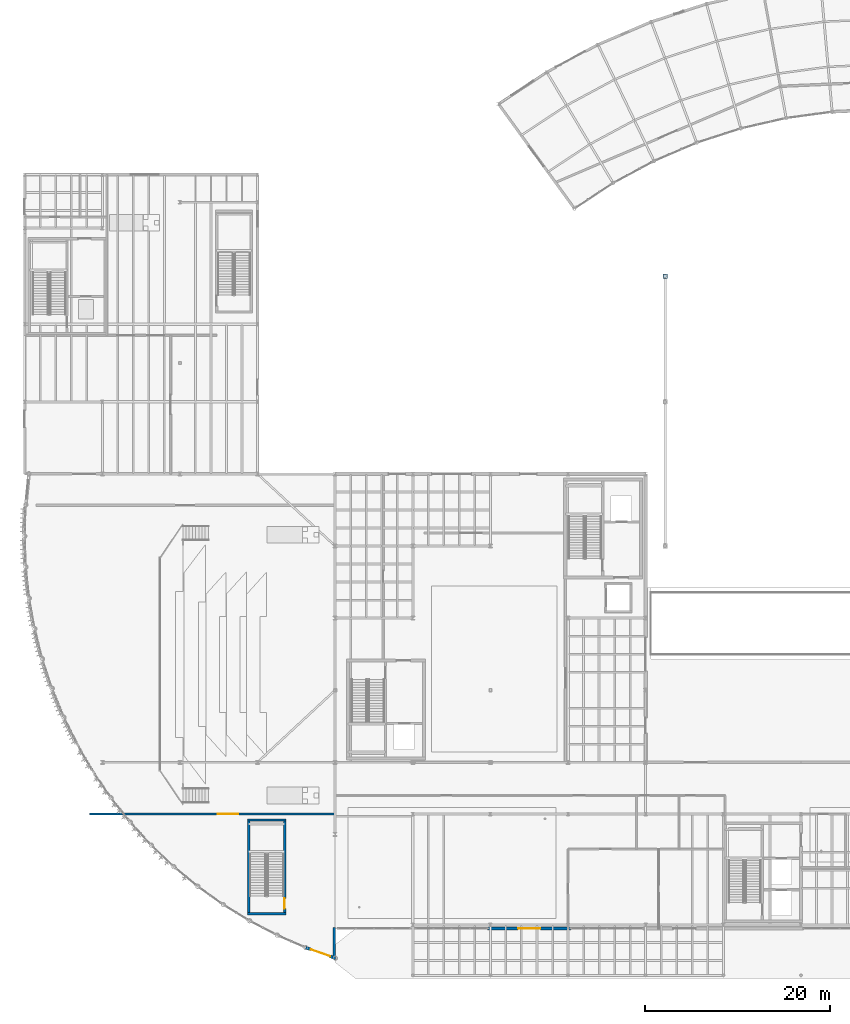
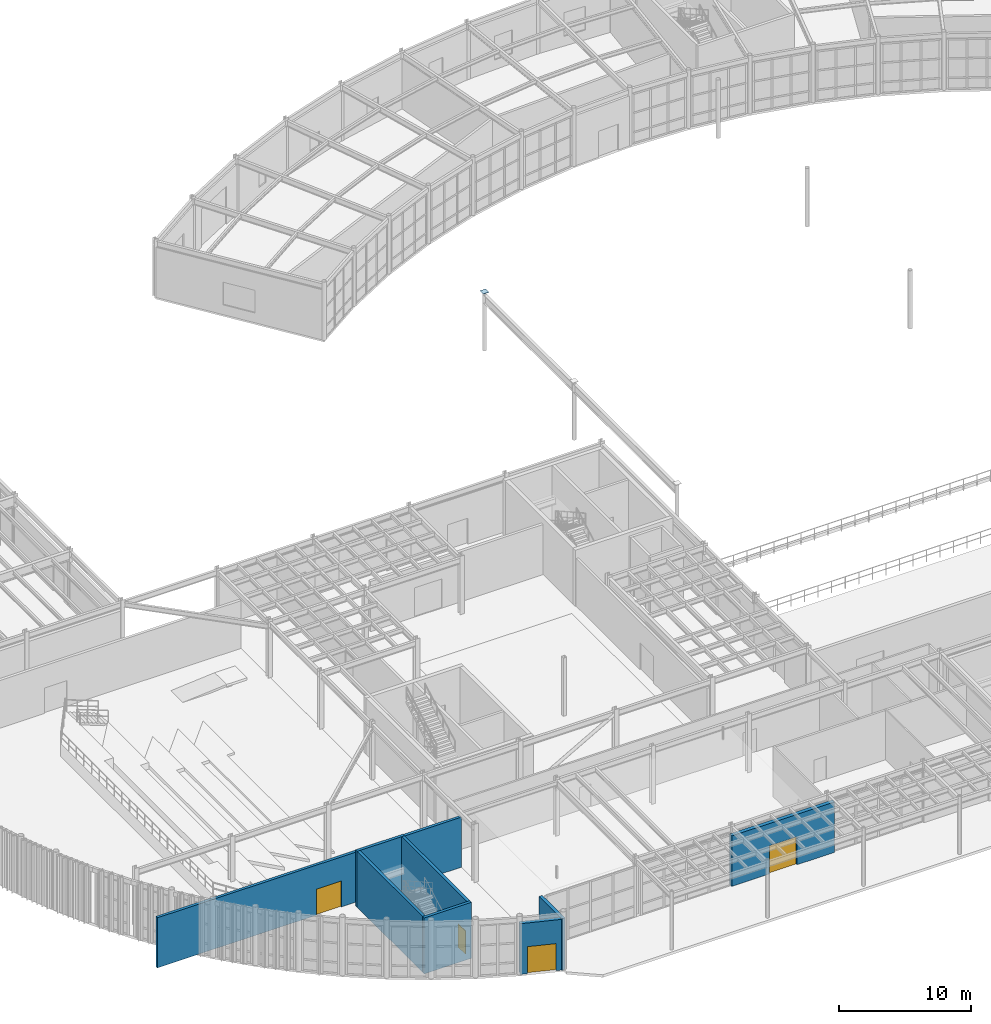
# One storey, part 62 of 87: 8 walls, 4 doors, 1 plate, 4 openings.
"""IFC4 building model written with IfcOpenShell, lengths in metres."""

from ifc_helpers import new_model, si_unit, direction, frame, frame_2d, origin, origin_2d, place, context, subcontext, project, spatial, rectangle, extrude, material, layer, layer_set, type_object, element, fill, save


model = new_model("IFC4")

# Units and contexts
model_context = context("Model", 3, precision=1e-05, world=origin(), true_north=direction((0.0, 1.0)))
body_context = subcontext(model_context, "Body", "Model", "MODEL_VIEW")
ifc_project = project(units=[si_unit("LENGTHUNIT", "METRE"), si_unit("AREAUNIT", "SQUARE_METRE"), si_unit("VOLUMEUNIT", "CUBIC_METRE"), si_unit("PLANEANGLEUNIT", "RADIAN"), si_unit("MASSUNIT", "GRAM", prefix="KILO")], contexts=[model_context])

# Site, building, storey
site_placement = place(None, origin())
site = spatial("IfcSite", under=ifc_project, at=site_placement, CompositionType="ELEMENT")
building_placement = place(site_placement, origin())
building = spatial("IfcBuilding", under=site, at=building_placement, Name="Selat Folded Stagehouse", CompositionType="ELEMENT")
storey_placement = place(building_placement, origin())
storey = spatial("IfcBuildingStorey", under=building, at=storey_placement, Name="L00", CompositionType="ELEMENT", Elevation=0.0)

# Plate
ifc_material_1 = material(Name="Steel S355", Category="steel")
ifc_layer_1 = layer(ifc_material_1, 0.02490234375)
ifc_layer_set_1 = layer_set([ifc_layer_1], Name="Steel S355")
plate_type = type_object("IfcPlateType", Name="PLT-BASE-500x500x25", PredefinedType="USERDEFINED", material=ifc_layer_set_1)
plate_placement = place(storey_placement, frame((69.300048828125, 76.0, 5.400146484375), z_axis=(0.0, 0.0, 1.0), x_axis=(1.0, 0.0, 0.0)))
element("IfcPlate", 1, at=plate_placement, inside=storey, type_object=plate_type, Name="Hollow column end cap plate STK-BR1-760", ObjectType="BASE_PLATE", PredefinedType="USERDEFINED", context=body_context, shape_type="SweptSolid", body=[
    extrude(rectangle(XDim=0.5, YDim=0.5, at=origin_2d()), origin(), (0.0, 0.0, 1.0), 0.02490234375),
])

# Wall, opening, door
ifc_material_2 = material(Name="Double-stud acoustic gypsum and mineral wool", Category="gypsum")
ifc_layer_2 = layer(ifc_material_2, 0.239990234375)
ifc_layer_set_2 = layer_set([ifc_layer_2], Name="Double-stud acoustic gypsum and mineral wool")
wall_type_1 = type_object("IfcWallType", Name="WAL-ACOU-240", PredefinedType="PARTITIONING", material=ifc_layer_set_2)
wall_1_placement = place(storey_placement, frame((7.0, 17.800048828125, 0.0), z_axis=(0.0, 0.0, 1.0), x_axis=(1.0, 0.0, 0.0)))
wall_1 = element("IfcWall", 2, at=wall_1_placement, inside=storey, type_object=wall_type_1, Name="L00 interior partition wall 013", PredefinedType="PARTITIONING", context=body_context, shape_type="SweptSolid", body=[
    extrude(rectangle(XDim=26.60009765625, YDim=0.239990234375, at=frame_2d((13.300048828125, 0.0))), origin(), (0.0, 0.0, 1.0), 4.63232421875),
])
opening_1_placement = place(wall_1_placement, frame((13.907958984375, 0.0, 0.0)))
opening_1 = element("IfcOpeningElement", 3, at=opening_1_placement, cuts=wall_1, Name="Opening AD-01", PredefinedType="OPENING", context=body_context, shape_type="SweptSolid", body=[
    extrude(rectangle(XDim=2.199951171875, YDim=2.39990234375, at=frame_2d((1.10009765625, 1.199951171875))), frame((0.0, 0.1298828125, 0.0), z_axis=(0.0, -1.0, 0.0), x_axis=(1.0, 0.0, 0.0)), (0.0, 0.0, 1.0), 0.260009765625),
])
ifc_material_3 = material(Name="Auditorium sound-lock double acoustic door", Category="wood")
door_type_1 = type_object("IfcDoorType", Name="DOR-AUD-2200", OperationType="NOTDEFINED", PredefinedType="DOOR", material=ifc_material_3)
door_1_placement = place(opening_1_placement, origin())
door_1 = element("IfcDoor", 4, at=door_1_placement, inside=storey, type_object=door_type_1, Name="L00 interior door IWAL-L00-013-1", OperationType="SINGLE_SWING_LEFT", OverallHeight=2.39990234375, OverallWidth=2.199951171875, PredefinedType="DOOR", context=body_context, shape_type="SweptSolid", body=[
    extrude(rectangle(XDim=2.199951171875, YDim=2.39990234375, at=frame_2d((1.10009765625, 1.199951171875))), frame((0.0, 0.02490234375, 0.0), z_axis=(0.0, -1.0, 0.0), x_axis=(1.0, 0.0, 0.0)), (0.0, 0.0, 1.0), 0.050048828125),
])
fill(opening_1, door_1)

# Walls
ifc_material_4 = material(Name="Concrete C50/60", Category="concrete")
ifc_layer_3 = layer(ifc_material_4, 0.25)
ifc_layer_set_3 = layer_set([ifc_layer_3], Name="Concrete C50/60")
wall_type_2 = type_object("IfcWallType", Name="WAL-CORE-250", PredefinedType="SHEAR", material=ifc_layer_set_3)
for number, where, z_axis, x_axis, name in (
    (5, (28.264892578125, 7.0, 0.0), (0.0, 0.0, 1.0), (-1.0, 0.0, 0.0), "L00 ST-09 south shaft wall"),
    (6, (24.114990234375, 17.159912109375, 0.0), (0.0, 0.0, 1.0), (1.0, 0.0, 0.0), "L00 ST-09 north shaft wall"),
):
    element("IfcWall", number, at=place(storey_placement, frame(where, z_axis=z_axis, x_axis=x_axis)), inside=storey, type_object=wall_type_2, Name=name, PredefinedType="SHEAR", context=body_context, shape_type="SweptSolid", body=[
        extrude(rectangle(XDim=4.14990234375, YDim=0.25, at=frame_2d((2.074951171875, 0.0))), origin(), (0.0, 0.0, 1.0), 5.179931640625),
    ])
wall_2_placement = place(storey_placement, frame((24.239990234375, 7.125, 0.0), z_axis=(0.0, 0.0, 1.0), x_axis=(0.0, 1.0, 0.0)))
element("IfcWall", 7, at=wall_2_placement, inside=storey, type_object=wall_type_2, Name="L00 ST-09 west shaft wall", PredefinedType="SHEAR", context=body_context, shape_type="SweptSolid", body=[
    extrude(rectangle(XDim=9.909912109375, YDim=0.25, at=frame_2d((4.955078125, 0.0))), origin(), (0.0, 0.0, 1.0), 5.179931640625),
])

# Wall, opening, door
wall_3_placement = place(storey_placement, frame((28.139892578125, 17.034912109375, 0.0), z_axis=(0.0, 0.0, 1.0), x_axis=(0.0, -1.0, 0.0)))
wall_3 = element("IfcWall", 8, at=wall_3_placement, inside=storey, type_object=wall_type_2, Name="L00 ST-09 east shaft wall", PredefinedType="SHEAR", context=body_context, shape_type="SweptSolid", body=[
    extrude(rectangle(XDim=9.909912109375, YDim=0.25, at=frame_2d((4.955078125, 0.0))), origin(), (0.0, 0.0, 1.0), 5.179931640625),
])
opening_2_placement = place(wall_3_placement, frame((8.360107421875, 0.0, 0.0)))
opening_2 = element("IfcOpeningElement", 9, at=opening_2_placement, cuts=wall_3, Name="Opening FD-60", PredefinedType="OPENING", context=body_context, shape_type="SweptSolid", body=[
    extrude(rectangle(XDim=1.10009765625, YDim=2.14990234375, at=frame_2d((0.550048828125, 1.074951171875))), frame((0.0, 0.135009765625, 0.0), z_axis=(0.0, -1.0, 0.0), x_axis=(1.0, 0.0, 0.0)), (0.0, 0.0, 1.0), 0.27001953125),
])
ifc_material_5 = material(Name="Fire-rated timber core door", Category="wood")
door_type_2 = type_object("IfcDoorType", Name="DOR-FIRE-60", OperationType="NOTDEFINED", PredefinedType="DOOR", material=ifc_material_5)
door_2_placement = place(opening_2_placement, origin())
door_2 = element("IfcDoor", 10, at=door_2_placement, inside=storey, type_object=door_type_2, Name="L00 ST-09 stair door", OperationType="SINGLE_SWING_LEFT", OverallHeight=2.14990234375, OverallWidth=1.10009765625, PredefinedType="DOOR", context=body_context, shape_type="SweptSolid", body=[
    extrude(rectangle(XDim=1.10009765625, YDim=2.14990234375, at=frame_2d((0.550048828125, 1.074951171875))), frame((0.0, 0.02490234375, 0.0), z_axis=(0.0, -1.0, 0.0), x_axis=(1.0, 0.0, 0.0)), (0.0, 0.0, 1.0), 0.050048828125),
])
fill(opening_2, door_2)

# Wall
ifc_material_6 = material(Name="Precast concrete C40/50", Category="concrete")
ifc_layer_4 = layer(ifc_material_6, 0.27490234375)
ifc_layer_set_4 = layer_set([ifc_layer_4], Name="Precast concrete C40/50")
wall_type_3 = type_object("IfcWallType", Name="WAL-EXT-275", PredefinedType="STANDARD", material=ifc_layer_set_4)
wall_4_placement = place(storey_placement, frame((33.52001953125, 2.050048828125, 0.0), z_axis=(0.0, 0.0, 1.0), x_axis=(0.0, 1.0, 0.0)))
element("IfcWall", 11, at=wall_4_placement, inside=storey, type_object=wall_type_3, Name="L00 exterior facade wall EW-L00-V1E-S", PredefinedType="STANDARD", context=body_context, shape_type="SweptSolid", body=[
    extrude(rectangle(XDim=3.449951171875, YDim=0.27490234375, at=frame_2d((1.72509765625, 0.0))), origin(), (0.0, 0.0, 1.0), 4.77197265625),
])

# Wall, opening, door
ifc_layer_5 = layer(ifc_material_6, 0.324951171875)
ifc_layer_set_5 = layer_set([ifc_layer_5], Name="Precast concrete C40/50")
wall_type_4 = type_object("IfcWallType", Name="WAL-EXT-325", PredefinedType="STANDARD", material=ifc_layer_set_5)
wall_5_placement = place(storey_placement, frame((33.60009765625, 2.2109375, 0.0), z_axis=(0.0, 0.0, 1.0), x_axis=(-0.942833706296, 0.333263562774, 0.0)))
wall_5 = element("IfcWall", 12, at=wall_5_placement, inside=storey, type_object=wall_type_4, Name="L00 exterior facade wall EW-L00-DRM-S", PredefinedType="STANDARD", context=body_context, shape_type="SweptSolid", body=[
    extrude(rectangle(XDim=3.369140625, YDim=0.324951171875, at=frame_2d((1.6845703125, 0.0))), origin(), (0.0, 0.0, 1.0), 4.69189453125),
])
opening_3_placement = place(wall_5_placement, frame((0.580078125, 0.0, 0.0)))
opening_3 = element("IfcOpeningElement", 13, at=opening_3_placement, cuts=wall_5, Name="Opening ED-02", PredefinedType="OPENING", context=body_context, shape_type="SweptSolid", body=[
    extrude(rectangle(XDim=2.199951171875, YDim=2.5, at=frame_2d((1.10009765625, 1.25))), frame((0.0, 0.17236328125, 0.0), z_axis=(0.0, -1.0, 0.0), x_axis=(1.0, 0.0, 0.0)), (0.0, 0.0, 1.0), 0.344970703125),
])
ifc_material_7 = material(Name="Powder-coated steel and laminated safety glass", Category="steel")
door_type_3 = type_object("IfcDoorType", Name="DOR-EXT-2200x2500", OperationType="NOTDEFINED", PredefinedType="DOOR", material=ifc_material_7)
door_3_placement = place(opening_3_placement, origin())
door_3 = element("IfcDoor", 14, at=door_3_placement, inside=storey, type_object=door_type_3, Name="L00 exterior door EW-L00-DRM-S-1", OperationType="DOUBLE_SWING_RIGHT", OverallHeight=2.5, OverallWidth=2.199951171875, PredefinedType="DOOR", context=body_context, shape_type="SweptSolid", body=[
    extrude(rectangle(XDim=2.199951171875, YDim=2.5, at=frame_2d((1.10009765625, 1.25))), frame((0.0, 0.02490234375, 0.0), z_axis=(0.0, -1.0, 0.0), x_axis=(1.0, 0.0, 0.0)), (0.0, 0.0, 1.0), 0.050048828125),
])
fill(opening_3, door_3)

wall_6_placement = place(storey_placement, frame((59.10009765625, 5.39990234375, 0.0), z_axis=(0.0, 0.0, 1.0), x_axis=(-1.0, 0.0, 0.0)))
wall_6 = element("IfcWall", 15, at=wall_6_placement, inside=storey, type_object=wall_type_4, Name="L00 exterior facade wall EW-L00-FYR-P1", PredefinedType="STANDARD", context=body_context, shape_type="SweptSolid", body=[
    extrude(rectangle(XDim=9.0, YDim=0.324951171875, at=frame_2d((4.5, 0.0))), origin(), (0.0, 0.0, 1.0), 4.662353515625),
])
opening_4_placement = place(wall_6_placement, frame((3.300048828125, 0.0, 0.0)))
opening_4 = element("IfcOpeningElement", 16, at=opening_4_placement, cuts=wall_6, Name="Opening ED-01", PredefinedType="OPENING", context=body_context, shape_type="SweptSolid", body=[
    extrude(rectangle(XDim=2.39990234375, YDim=2.60009765625, at=frame_2d((1.199951171875, 1.300048828125))), frame((0.0, 0.17236328125, 0.0), z_axis=(0.0, -1.0, 0.0), x_axis=(1.0, 0.0, 0.0)), (0.0, 0.0, 1.0), 0.344970703125),
])
door_type_4 = type_object("IfcDoorType", Name="DOR-EXT-2400x2600", OperationType="NOTDEFINED", PredefinedType="DOOR", material=ifc_material_7)
door_4_placement = place(opening_4_placement, origin())
door_4 = element("IfcDoor", 17, at=door_4_placement, inside=storey, type_object=door_type_4, Name="L00 exterior door EW-L00-FYR-P1-1", OperationType="DOUBLE_SWING_LEFT", OverallHeight=2.60009765625, OverallWidth=2.39990234375, PredefinedType="DOOR", context=body_context, shape_type="SweptSolid", body=[
    extrude(rectangle(XDim=2.39990234375, YDim=2.60009765625, at=frame_2d((1.199951171875, 1.300048828125))), frame((0.0, 0.02490234375, 0.0), z_axis=(0.0, -1.0, 0.0), x_axis=(1.0, 0.0, 0.0)), (0.0, 0.0, 1.0), 0.050048828125),
])
fill(opening_4, door_4)

save(model, "model.ifc")
